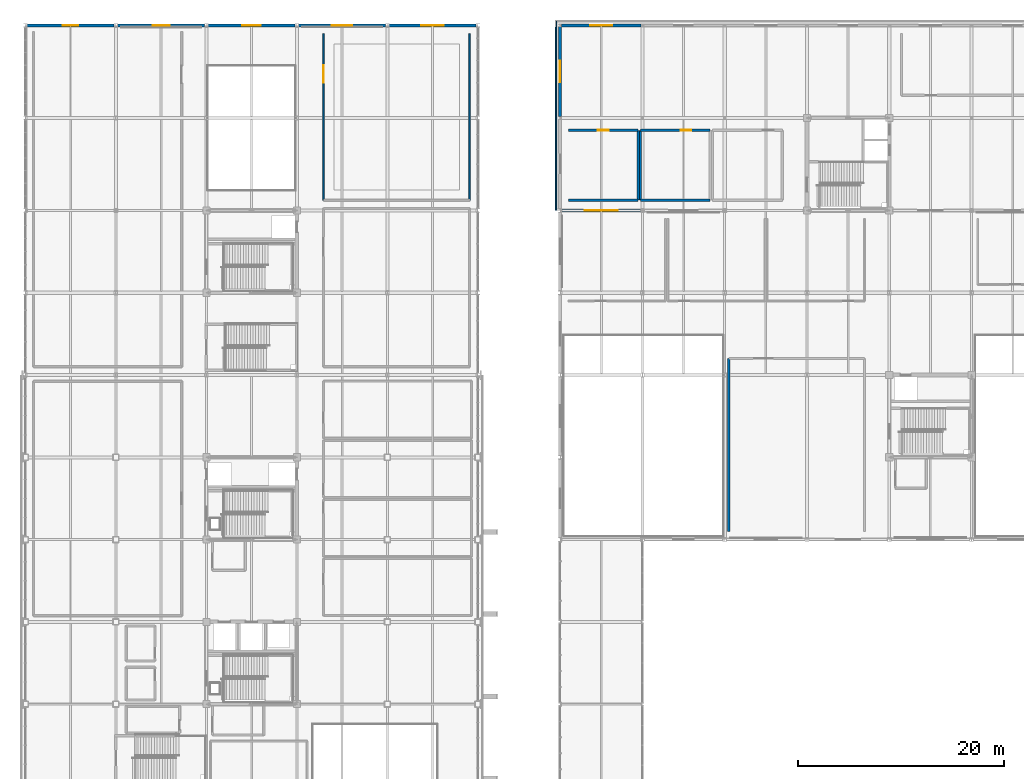
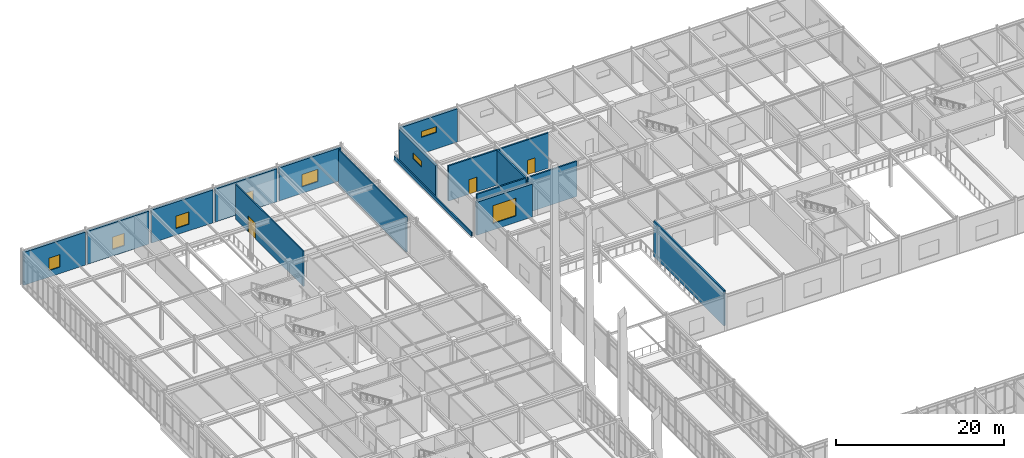
# One storey, part 165 of 184: 18 walls, 8 windows, 3 doors, 11 openings.
"""IFC4 building model written with IfcOpenShell, lengths in metres."""

import ifcopenshell
import ifcopenshell.guid

model = None  # the IFC model being written
_history = None  # IfcOwnerHistory: only IFC2X3 demands one
_inside = {}  # id of a spatial element -> (the spatial element, [elements in it])
_under = {}  # id of a project, library or spatial element -> (it, [spatial elements below it])
_declared = {}  # id of a project -> (the project, [libraries it declares])
_typed = {}  # id of a type object -> (the type object, [elements of that type])
_made_of = {}  # id of a material, layer set ... -> (it, [elements and type objects made of it])


def new_model(schema):
    """Start an empty IFC model of exactly this schema.

    Asked for "IFC4X3", IfcOpenShell would pick the latest addendum, in which some entities
    have other attributes; the version numbers below select the first issue.
    IFC2X3 requires an IfcOwnerHistory on every rooted entity: one is made here for all.
    """
    global model, _history
    if schema == "IFC4X3":
        model = ifcopenshell.file(schema_version=(4, 3, 0, 0))
    else:
        model = ifcopenshell.file(schema=schema)
    _inside.clear()
    _under.clear()
    _declared.clear()
    _typed.clear()
    _made_of.clear()
    _history = None
    if model.schema == "IFC2X3":
        org = make("IfcOrganization", Name="unknown")
        user = make(
            "IfcPersonAndOrganization",
            ThePerson=make("IfcPerson", FamilyName="unknown"),
            TheOrganization=org,
        )
        app = make(
            "IfcApplication",
            ApplicationDeveloper=org,
            Version="unknown",
            ApplicationFullName="unknown",
            ApplicationIdentifier="unknown",
        )
        _history = make(
            "IfcOwnerHistory",
            OwningUser=user,
            OwningApplication=app,
            ChangeAction="ADDED",
            CreationDate=0,
        )
    return model


def make(cls, **values):
    """One entity of the class cls with the attributes given. An attribute that is None is left unset."""
    return model.create_entity(
        cls, **{name: value for name, value in values.items() if value is not None}
    )


def rooted(cls, **values):
    """An entity with a GlobalId (a new one), such as an element, a storey or a relation."""
    return make(cls, GlobalId=ifcopenshell.guid.new(), OwnerHistory=_history, **values)


def si_unit(unit_type, name, prefix=None):
    """IfcSIUnit, for example si_unit("LENGTHUNIT", "METRE", prefix="MILLI")."""
    return make("IfcSIUnit", UnitType=unit_type, Prefix=prefix, Name=name)


def assignment(units):
    """IfcUnitAssignment: the units of a project."""
    return None if units is None else make("IfcUnitAssignment", Units=units)


def point(xyz):
    """IfcCartesianPoint."""
    return None if xyz is None else make("IfcCartesianPoint", Coordinates=xyz)


def direction(xyz):
    """IfcDirection."""
    return None if xyz is None else make("IfcDirection", DirectionRatios=xyz)


def frame(location, z_axis=None, x_axis=None):
    """IfcAxis2Placement3D, a coordinate frame: its origin and axes. An axis left out is left unset."""
    return make(
        "IfcAxis2Placement3D",
        Location=point(location),
        Axis=direction(z_axis),
        RefDirection=direction(x_axis),
    )


def frame_2d(location, x_axis=None):
    """IfcAxis2Placement2D, a coordinate frame in the plane: its origin and x axis."""
    return make(
        "IfcAxis2Placement2D", Location=point(location), RefDirection=direction(x_axis)
    )


def origin():
    """The frame at (0, 0, 0) with its axes left unset."""
    return frame((0.0, 0.0, 0.0))


def place(relative_to, where):
    """IfcLocalPlacement: puts the frame where relative to a parent placement (None: the world)."""
    return make(
        "IfcLocalPlacement", PlacementRelTo=relative_to, RelativePlacement=where
    )


def context(
    kind, dimensions, precision=None, world=None, true_north=None, identifier=None
):
    """IfcGeometricRepresentationContext, for example the 3D "Model" context."""
    return make(
        "IfcGeometricRepresentationContext",
        ContextIdentifier=identifier,
        ContextType=kind,
        CoordinateSpaceDimension=dimensions,
        Precision=precision,
        WorldCoordinateSystem=world,
        TrueNorth=true_north,
    )


def subcontext(parent, identifier, kind, view, scale=None):
    """IfcGeometricRepresentationSubContext, for example "Body" below "Model"."""
    return make(
        "IfcGeometricRepresentationSubContext",
        ContextIdentifier=identifier,
        ContextType=kind,
        ParentContext=parent,
        TargetScale=scale,
        TargetView=view,
    )


def project(units=None, contexts=None):
    """IfcProject with its units and contexts."""
    return rooted(
        "IfcProject",
        Name="project",
        RepresentationContexts=contexts,
        UnitsInContext=assignment(units),
    )


def spatial(cls, under=None, at=None, **own):
    """A site, building, storey or space (cls), placed at a placement, below another one or the project."""
    s = rooted(cls, ObjectPlacement=at, **own)
    if under is not None:
        _under.setdefault(under.id(), (under, []))[1].append(s)
    return s


def profile(cls, at=None, kind="AREA", **sizes):
    """A parametric profile (cls). Its sizes go by their IFC names, for example OverallWidth=200.0."""
    return make(cls, ProfileType=kind, Position=at, **sizes)


def rectangle(**sizes):
    """IfcRectangleProfileDef."""
    return profile("IfcRectangleProfileDef", **sizes)


def extrude(swept, where, along, depth):
    """IfcExtrudedAreaSolid: the profile swept, set in the frame where, extruded along a direction by depth."""
    return make(
        "IfcExtrudedAreaSolid",
        SweptArea=swept,
        Position=where,
        ExtrudedDirection=direction(along),
        Depth=depth,
    )


def shape(context_of_items, identifier, shape_type, items):
    """IfcShapeRepresentation: the items that make up one representation, for example the "Body"."""
    return make(
        "IfcShapeRepresentation",
        ContextOfItems=context_of_items,
        RepresentationIdentifier=identifier,
        RepresentationType=shape_type,
        Items=items,
    )


def material(Name=None, Category=None):
    """IfcMaterial."""
    return make("IfcMaterial", Name=Name, Category=Category)


def layer(
    of_material, thickness, ventilated=None, Name=None, Category=None, Priority=None
):
    """IfcMaterialLayer: one layer of a wall or slab, of a material (None: an air gap)."""
    return make(
        "IfcMaterialLayer",
        Material=of_material,
        LayerThickness=thickness,
        IsVentilated=ventilated,
        Name=Name,
        Category=Category,
        Priority=Priority,
    )


def layer_set(layers, Name=None):
    """IfcMaterialLayerSet."""
    return make("IfcMaterialLayerSet", MaterialLayers=layers, LayerSetName=Name)


def made_of(thing, what):
    """Note that an element or type object is made of a material, layer set ...; save() writes the relation."""
    if what is not None:
        _made_of.setdefault(what.id(), (what, []))[1].append(thing)
    return thing


def type_object(cls, material=None, **own):
    """A type object (cls), such as IfcWallType, which elements share."""
    return made_of(rooted(cls, **own), material)


def element(
    cls,
    number,
    at=None,
    inside=None,
    cuts=None,
    type_object=None,
    material=None,
    context=None,
    identifier="Body",
    shape_type=None,
    held_by="IfcProductDefinitionShape",
    body=None,
    shapes=None,
    **own,
):
    """One element of the class cls, such as IfcWall. Its Tag is "e" and its number.

    at: its placement. inside: the storey or other place that contains it. cuts: it is an
    opening in that element (IfcRelVoidsElement). A single representation is given by context,
    identifier, shape_type and body (its items); several are given by shapes. held_by: the class
    of the entity that holds the representations. save() writes the other relations.
    """
    e = rooted(cls, Tag="e%d" % number, ObjectPlacement=at, **own)
    if body is not None:
        shapes = [shape(context, identifier, shape_type, body)]
    if shapes is not None:
        e.Representation = make(held_by, Representations=shapes)
    if inside is not None:
        _inside.setdefault(inside.id(), (inside, []))[1].append(e)
    if cuts is not None:
        rooted(
            "IfcRelVoidsElement", RelatingBuildingElement=cuts, RelatedOpeningElement=e
        )
    if type_object is not None:
        _typed.setdefault(type_object.id(), (type_object, []))[1].append(e)
    return made_of(e, material)


def fill(opening, filler):
    """IfcRelFillsElement: the door or window that sits in an opening."""
    return rooted(
        "IfcRelFillsElement",
        RelatingOpeningElement=opening,
        RelatedBuildingElement=filler,
    )


def aggregate(whole, parts):
    """IfcRelAggregates: a whole, such as a stair, and the parts it consists of."""
    return rooted("IfcRelAggregates", RelatingObject=whole, RelatedObjects=parts)


def save(model, path):
    """Write the relations noted so far, then the file.

    IfcRelAggregates (storeys below a building ...), IfcRelContainedInSpatialStructure (elements
    in a storey), IfcRelDefinesByType, IfcRelAssociatesMaterial and IfcRelDeclares: one each for
    every whole, place, type object, material and project.
    """
    for whole, parts in _under.values():
        aggregate(whole, parts)
    for where, things in _inside.values():
        rooted(
            "IfcRelContainedInSpatialStructure",
            RelatedElements=things,
            RelatingStructure=where,
        )
    for kind, things in _typed.values():
        rooted("IfcRelDefinesByType", RelatedObjects=things, RelatingType=kind)
    for what, things in _made_of.values():
        rooted("IfcRelAssociatesMaterial", RelatedObjects=things, RelatingMaterial=what)
    for by, libraries in _declared.values():
        rooted("IfcRelDeclares", RelatingContext=by, RelatedDefinitions=libraries)
    model.write(path)


model = new_model("IFC4")

# Units and contexts
model_context = context("Model", 3, precision=1e-05, world=origin(), true_north=direction((0.0, 1.0)))
body_context = subcontext(model_context, "Body", "Model", "MODEL_VIEW")
ifc_project = project(units=[si_unit("LENGTHUNIT", "METRE"), si_unit("AREAUNIT", "SQUARE_METRE"), si_unit("VOLUMEUNIT", "CUBIC_METRE"), si_unit("PLANEANGLEUNIT", "RADIAN"), si_unit("MASSUNIT", "GRAM", prefix="KILO")], contexts=[model_context])

# Site, building, storey
site_placement = place(None, origin())
site = spatial("IfcSite", under=ifc_project, at=site_placement, CompositionType="ELEMENT")
building_placement = place(site_placement, origin())
building = spatial("IfcBuilding", under=site, at=building_placement, Name="Zhaolan Boulevard Law Courts", CompositionType="ELEMENT")
storey_placement = place(building_placement, frame((0.0, 0.0, 5.39990234375)))
storey = spatial("IfcBuildingStorey", under=building, at=storey_placement, Name="L01", CompositionType="ELEMENT", Elevation=5.39990234375)

# Wall
ifc_material_1 = material(Name="Concrete C40", Category="concrete")
ifc_layer_1 = layer(ifc_material_1, 0.159912109375)
ifc_layer_set_1 = layer_set([ifc_layer_1])
wall_type_1 = type_object("IfcWallType", Name="EXT WALL ARCH CLAD160", PredefinedType="SOLIDWALL", material=ifc_layer_set_1)
wall_1_placement = place(storey_placement, frame((51.580078125, 112.419921875, 0.0), z_axis=(0.0, 0.0, 1.0), x_axis=(0.0, -1.0, 0.0)))
element("IfcWall", 1, at=wall_1_placement, inside=storey, type_object=wall_type_1, Name="Custody Concrete Spandrel Band CBW-255", PredefinedType="SOLIDWALL", context=body_context, shape_type="SweptSolid", body=[
    extrude(rectangle(XDim=18.419921875, YDim=0.159912109375, at=frame_2d((9.2099609375, 0.0))), origin(), (0.0, 0.0, 1.0), 0.550048828125),
])

# Wall, opening, window
ifc_material_2 = material(Name="Concrete C40", Category="concrete")
ifc_layer_2 = layer(ifc_material_2, 0.300048828125)
ifc_layer_set_2 = layer_set([ifc_layer_2])
wall_type_2 = type_object("IfcWallType", Name="EXT WALL CONCRETE300", PredefinedType="SOLIDWALL", material=ifc_layer_set_2)
wall_2_placement = place(storey_placement, frame((59.8291015625, 94.0, 0.0), z_axis=(0.0, 0.0, 1.0), x_axis=(-1.0, 0.0, 0.0)))
wall_2 = element("IfcWall", 2, at=wall_2_placement, inside=storey, type_object=wall_type_2, Name="Exterior Wall EW-L01-217", PredefinedType="SOLIDWALL", context=body_context, shape_type="SweptSolid", body=[
    extrude(rectangle(XDim=7.658203125, YDim=0.300048828125, at=frame_2d((3.8291015625, 0.0))), origin(), (0.0, 0.0, 1.0), 4.802978515625),
])
opening_1_placement = place(wall_2_placement, frame((2.22900390625, 0.0, 0.949951171875)))
opening_1 = element("IfcOpeningElement", 3, at=opening_1_placement, cuts=wall_2, Name="Opening WIN-L01-074", PredefinedType="OPENING", context=body_context, shape_type="SweptSolid", body=[
    extrude(rectangle(XDim=3.199951171875, YDim=2.60009765625, at=frame_2d((1.60009765625, 1.300048828125))), frame((0.0, 0.159912109375, 0.0), z_axis=(0.0, -1.0, 0.0), x_axis=(1.0, 0.0, 0.0)), (0.0, 0.0, 1.0), 0.320068359375),
])
ifc_material_3 = material(Name="Thermally broken aluminium and low-E glazing", Category="aluminium")
window_type_1 = type_object("IfcWindowType", Name="WINDOW 3200X2600", PartitioningType="DOUBLE_PANEL_VERTICAL", PredefinedType="WINDOW", material=ifc_material_3)
window_1_placement = place(opening_1_placement, origin())
window_1 = element("IfcWindow", 4, at=window_1_placement, inside=storey, type_object=window_type_1, Name="Exterior Window WIN-L01-074", OverallHeight=2.60009765625, OverallWidth=3.199951171875, PartitioningType="SINGLE_PANEL", PredefinedType="WINDOW", context=body_context, shape_type="SweptSolid", body=[
    extrude(rectangle(XDim=3.199951171875, YDim=2.60009765625, at=frame_2d((1.60009765625, 1.300048828125))), frame((0.0, 0.030029296875, 0.0), z_axis=(0.0, -1.0, 0.0), x_axis=(1.0, 0.0, 0.0)), (0.0, 0.0, 1.0), 0.06005859375),
])
fill(opening_1, window_1)

wall_3_placement = place(storey_placement, frame((59.87890625, 112.0, 0.0), z_axis=(0.0, 0.0, 1.0), x_axis=(-1.0, 0.0, 0.0)))
wall_3 = element("IfcWall", 5, at=wall_3_placement, inside=storey, type_object=wall_type_2, Name="Exterior Wall EW-L01-317", PredefinedType="SOLIDWALL", context=body_context, shape_type="SweptSolid", body=[
    extrude(rectangle(XDim=7.7578125, YDim=0.300048828125, at=frame_2d((3.87890625, 0.0))), origin(), (0.0, 0.0, 1.0), 4.822998046875),
])
opening_2_placement = place(wall_3_placement, frame((2.8291015625, 0.0, 2.39990234375)))
opening_2 = element("IfcOpeningElement", 6, at=opening_2_placement, cuts=wall_3, Name="Opening WIN-L01-172", PredefinedType="OPENING", context=body_context, shape_type="SweptSolid", body=[
    extrude(rectangle(XDim=2.10009765625, YDim=0.85009765625, at=frame_2d((1.050048828125, 0.425048828125))), frame((0.0, 0.159912109375, 0.0), z_axis=(0.0, -1.0, 0.0), x_axis=(1.0, 0.0, 0.0)), (0.0, 0.0, 1.0), 0.320068359375),
])
ifc_material_4 = material(Name="Thermally broken aluminium and low-E glazing", Category="aluminium")
window_type_2 = type_object("IfcWindowType", Name="WINDOW 2100X850", PartitioningType="DOUBLE_PANEL_VERTICAL", PredefinedType="WINDOW", material=ifc_material_4)
window_2_placement = place(opening_2_placement, origin())
window_2 = element("IfcWindow", 7, at=window_2_placement, inside=storey, type_object=window_type_2, Name="Exterior Window WIN-L01-172", OverallHeight=0.85009765625, OverallWidth=2.10009765625, PartitioningType="SINGLE_PANEL", PredefinedType="WINDOW", context=body_context, shape_type="SweptSolid", body=[
    extrude(rectangle(XDim=2.10009765625, YDim=0.85009765625, at=frame_2d((1.050048828125, 0.425048828125))), frame((0.0, 0.030029296875, 0.0), z_axis=(0.0, -1.0, 0.0), x_axis=(1.0, 0.0, 0.0)), (0.0, 0.0, 1.0), 0.06005859375),
])
fill(opening_2, window_2)

wall_4_placement = place(storey_placement, frame((52.0, 111.87890625, 0.0), z_axis=(0.0, 0.0, 1.0), x_axis=(0.0, -1.0, 0.0)))
wall_4 = element("IfcWall", 8, at=wall_4_placement, inside=storey, type_object=wall_type_2, Name="Exterior Wall EW-L01-325", PredefinedType="SOLIDWALL", context=body_context, shape_type="SweptSolid", body=[
    extrude(rectangle(XDim=8.7578125, YDim=0.300048828125, at=frame_2d((4.37890625, 0.0))), origin(), (0.0, 0.0, 1.0), 4.64111328125),
])
opening_3_placement = place(wall_4_placement, frame((3.3291015625, 0.0, 2.39990234375)))
opening_3 = element("IfcOpeningElement", 9, at=opening_3_placement, cuts=wall_4, Name="Opening WIN-L01-180", PredefinedType="OPENING", context=body_context, shape_type="SweptSolid", body=[
    extrude(rectangle(XDim=2.10009765625, YDim=0.85009765625, at=frame_2d((1.050048828125, 0.425048828125))), frame((0.0, 0.159912109375, 0.0), z_axis=(0.0, -1.0, 0.0), x_axis=(1.0, 0.0, 0.0)), (0.0, 0.0, 1.0), 0.320068359375),
])
window_3_placement = place(opening_3_placement, origin())
window_3 = element("IfcWindow", 10, at=window_3_placement, inside=storey, type_object=window_type_2, Name="Exterior Window WIN-L01-180", OverallHeight=0.85009765625, OverallWidth=2.10009765625, PartitioningType="SINGLE_PANEL", PredefinedType="WINDOW", context=body_context, shape_type="SweptSolid", body=[
    extrude(rectangle(XDim=2.10009765625, YDim=0.85009765625, at=frame_2d((1.050048828125, 0.425048828125))), frame((0.0, 0.030029296875, 0.0), z_axis=(0.0, -1.0, 0.0), x_axis=(1.0, 0.0, 0.0)), (0.0, 0.0, 1.0), 0.06005859375),
])
fill(opening_3, window_3)

wall_5_placement = place(storey_placement, frame((8.62890625, 112.0, 0.0), z_axis=(0.0, 0.0, 1.0), x_axis=(-1.0, 0.0, 0.0)))
wall_5 = element("IfcWall", 11, at=wall_5_placement, inside=storey, type_object=wall_type_2, Name="Exterior Wall EW-L01-345", PredefinedType="SOLIDWALL", context=body_context, shape_type="SweptSolid", body=[
    extrude(rectangle(XDim=8.4580078125, YDim=0.300048828125, at=frame_2d((4.22900390625, 0.0))), origin(), (0.0, 0.0, 1.0), 4.802978515625),
])
opening_4_placement = place(wall_5_placement, frame((3.47900390625, 0.0, 0.949951171875)))
opening_4 = element("IfcOpeningElement", 12, at=opening_4_placement, cuts=wall_5, Name="Opening WIN-L01-198", PredefinedType="OPENING", context=body_context, shape_type="SweptSolid", body=[
    extrude(rectangle(XDim=1.5, YDim=1.800048828125, at=frame_2d((0.75, 0.89990234375))), frame((0.0, 0.159912109375, 0.0), z_axis=(0.0, -1.0, 0.0), x_axis=(1.0, 0.0, 0.0)), (0.0, 0.0, 1.0), 0.320068359375),
])
ifc_material_5 = material(Name="Thermally broken aluminium and low-E glazing", Category="aluminium")
window_type_3 = type_object("IfcWindowType", Name="WINDOW 1500X1800", PartitioningType="SINGLE_PANEL", PredefinedType="WINDOW", material=ifc_material_5)
window_4_placement = place(opening_4_placement, origin())
window_4 = element("IfcWindow", 13, at=window_4_placement, inside=storey, type_object=window_type_3, Name="Exterior Window WIN-L01-198", OverallHeight=1.800048828125, OverallWidth=1.5, PartitioningType="SINGLE_PANEL", PredefinedType="WINDOW", context=body_context, shape_type="SweptSolid", body=[
    extrude(rectangle(XDim=1.5, YDim=1.800048828125, at=frame_2d((0.75, 0.89990234375))), frame((0.0, 0.030029296875, 0.0), z_axis=(0.0, -1.0, 0.0), x_axis=(1.0, 0.0, 0.0)), (0.0, 0.0, 1.0), 0.06005859375),
])
fill(opening_4, window_4)

wall_6_placement = place(storey_placement, frame((17.428955078125, 112.0, 0.0), z_axis=(0.0, 0.0, 1.0), x_axis=(-1.0, 0.0, 0.0)))
wall_6 = element("IfcWall", 14, at=wall_6_placement, inside=storey, type_object=wall_type_2, Name="Exterior Wall EW-L01-346", PredefinedType="SOLIDWALL", context=body_context, shape_type="SweptSolid", body=[
    extrude(rectangle(XDim=8.4580078125, YDim=0.300048828125, at=frame_2d((4.22900390625, 0.0))), origin(), (0.0, 0.0, 1.0), 4.802978515625),
])
opening_5_placement = place(wall_6_placement, frame((3.404052734375, 0.0, 0.949951171875)))
opening_5 = element("IfcOpeningElement", 15, at=opening_5_placement, cuts=wall_6, Name="Opening WIN-L01-199", PredefinedType="OPENING", context=body_context, shape_type="SweptSolid", body=[
    extrude(rectangle(XDim=1.64990234375, YDim=1.800048828125, at=frame_2d((0.824951171875, 0.89990234375))), frame((0.0, 0.159912109375, 0.0), z_axis=(0.0, -1.0, 0.0), x_axis=(1.0, 0.0, 0.0)), (0.0, 0.0, 1.0), 0.320068359375),
])
ifc_material_6 = material(Name="Thermally broken aluminium and low-E glazing", Category="aluminium")
window_type_4 = type_object("IfcWindowType", Name="WINDOW 1650X1800", PartitioningType="SINGLE_PANEL", PredefinedType="WINDOW", material=ifc_material_6)
window_5_placement = place(opening_5_placement, origin())
window_5 = element("IfcWindow", 16, at=window_5_placement, inside=storey, type_object=window_type_4, Name="Exterior Window WIN-L01-199", OverallHeight=1.800048828125, OverallWidth=1.64990234375, PartitioningType="SINGLE_PANEL", PredefinedType="WINDOW", context=body_context, shape_type="SweptSolid", body=[
    extrude(rectangle(XDim=1.64990234375, YDim=1.800048828125, at=frame_2d((0.824951171875, 0.89990234375))), frame((0.0, 0.030029296875, 0.0), z_axis=(0.0, -1.0, 0.0), x_axis=(1.0, 0.0, 0.0)), (0.0, 0.0, 1.0), 0.06005859375),
])
fill(opening_5, window_5)

wall_7_placement = place(storey_placement, frame((26.22900390625, 112.0, 0.0), z_axis=(0.0, 0.0, 1.0), x_axis=(-1.0, 0.0, 0.0)))
wall_7 = element("IfcWall", 17, at=wall_7_placement, inside=storey, type_object=wall_type_2, Name="Exterior Wall EW-L01-347", PredefinedType="SOLIDWALL", context=body_context, shape_type="SweptSolid", body=[
    extrude(rectangle(XDim=8.4580078125, YDim=0.300048828125, at=frame_2d((4.22900390625, 0.0))), origin(), (0.0, 0.0, 1.0), 4.802978515625),
])
opening_6_placement = place(wall_7_placement, frame((3.3291015625, 0.0, 0.949951171875)))
opening_6 = element("IfcOpeningElement", 18, at=opening_6_placement, cuts=wall_7, Name="Opening WIN-L01-200", PredefinedType="OPENING", context=body_context, shape_type="SweptSolid", body=[
    extrude(rectangle(XDim=1.800048828125, YDim=1.800048828125, at=frame_2d((0.89990234375, 0.89990234375))), frame((0.0, 0.159912109375, 0.0), z_axis=(0.0, -1.0, 0.0), x_axis=(1.0, 0.0, 0.0)), (0.0, 0.0, 1.0), 0.320068359375),
])
ifc_material_7 = material(Name="Thermally broken aluminium and low-E glazing", Category="aluminium")
window_type_5 = type_object("IfcWindowType", Name="WINDOW 1800X1800", PartitioningType="DOUBLE_PANEL_VERTICAL", PredefinedType="WINDOW", material=ifc_material_7)
window_6_placement = place(opening_6_placement, origin())
window_6 = element("IfcWindow", 19, at=window_6_placement, inside=storey, type_object=window_type_5, Name="Exterior Window WIN-L01-200", OverallHeight=1.800048828125, OverallWidth=1.800048828125, PartitioningType="SINGLE_PANEL", PredefinedType="WINDOW", context=body_context, shape_type="SweptSolid", body=[
    extrude(rectangle(XDim=1.800048828125, YDim=1.800048828125, at=frame_2d((0.89990234375, 0.89990234375))), frame((0.0, 0.030029296875, 0.0), z_axis=(0.0, -1.0, 0.0), x_axis=(1.0, 0.0, 0.0)), (0.0, 0.0, 1.0), 0.06005859375),
])
fill(opening_6, window_6)

wall_8_placement = place(storey_placement, frame((35.029052734375, 112.0, 0.0), z_axis=(0.0, 0.0, 1.0), x_axis=(-1.0, 0.0, 0.0)))
wall_8 = element("IfcWall", 20, at=wall_8_placement, inside=storey, type_object=wall_type_2, Name="Exterior Wall EW-L01-348", PredefinedType="SOLIDWALL", context=body_context, shape_type="SweptSolid", body=[
    extrude(rectangle(XDim=8.4580078125, YDim=0.300048828125, at=frame_2d((4.22900390625, 0.0))), origin(), (0.0, 0.0, 1.0), 4.802978515625),
])
opening_7_placement = place(wall_8_placement, frame((3.22900390625, 0.0, 0.949951171875)))
opening_7 = element("IfcOpeningElement", 21, at=opening_7_placement, cuts=wall_8, Name="Opening WIN-L01-201", PredefinedType="OPENING", context=body_context, shape_type="SweptSolid", body=[
    extrude(rectangle(XDim=2.0, YDim=1.800048828125, at=frame_2d((1.0, 0.89990234375))), frame((0.0, 0.159912109375, 0.0), z_axis=(0.0, -1.0, 0.0), x_axis=(1.0, 0.0, 0.0)), (0.0, 0.0, 1.0), 0.320068359375),
])
ifc_material_8 = material(Name="Thermally broken aluminium and low-E glazing", Category="aluminium")
window_type_6 = type_object("IfcWindowType", Name="WINDOW 2000X1800", PartitioningType="DOUBLE_PANEL_VERTICAL", PredefinedType="WINDOW", material=ifc_material_8)
window_7_placement = place(opening_7_placement, origin())
window_7 = element("IfcWindow", 22, at=window_7_placement, inside=storey, type_object=window_type_6, Name="Exterior Window WIN-L01-201", OverallHeight=1.800048828125, OverallWidth=2.0, PartitioningType="SINGLE_PANEL", PredefinedType="WINDOW", context=body_context, shape_type="SweptSolid", body=[
    extrude(rectangle(XDim=2.0, YDim=1.800048828125, at=frame_2d((1.0, 0.89990234375))), frame((0.0, 0.030029296875, 0.0), z_axis=(0.0, -1.0, 0.0), x_axis=(1.0, 0.0, 0.0)), (0.0, 0.0, 1.0), 0.06005859375),
])
fill(opening_7, window_7)

wall_9_placement = place(storey_placement, frame((43.8291015625, 112.0, 0.0), z_axis=(0.0, 0.0, 1.0), x_axis=(-1.0, 0.0, 0.0)))
wall_9 = element("IfcWall", 23, at=wall_9_placement, inside=storey, type_object=wall_type_2, Name="Exterior Wall EW-L01-349", PredefinedType="SOLIDWALL", context=body_context, shape_type="SweptSolid", body=[
    extrude(rectangle(XDim=8.4580078125, YDim=0.300048828125, at=frame_2d((4.22900390625, 0.0))), origin(), (0.0, 0.0, 1.0), 4.802978515625),
])
opening_8_placement = place(wall_9_placement, frame((3.12890625, 0.0, 0.949951171875)))
opening_8 = element("IfcOpeningElement", 24, at=opening_8_placement, cuts=wall_9, Name="Opening WIN-L01-202", PredefinedType="OPENING", context=body_context, shape_type="SweptSolid", body=[
    extrude(rectangle(XDim=2.199951171875, YDim=1.800048828125, at=frame_2d((1.10009765625, 0.89990234375))), frame((0.0, 0.159912109375, 0.0), z_axis=(0.0, -1.0, 0.0), x_axis=(1.0, 0.0, 0.0)), (0.0, 0.0, 1.0), 0.320068359375),
])
ifc_material_9 = material(Name="Thermally broken aluminium and low-E glazing", Category="aluminium")
window_type_7 = type_object("IfcWindowType", Name="WINDOW 2200X1800", PartitioningType="DOUBLE_PANEL_VERTICAL", PredefinedType="WINDOW", material=ifc_material_9)
window_8_placement = place(opening_8_placement, origin())
window_8 = element("IfcWindow", 25, at=window_8_placement, inside=storey, type_object=window_type_7, Name="Exterior Window WIN-L01-202", OverallHeight=1.800048828125, OverallWidth=2.199951171875, PartitioningType="SINGLE_PANEL", PredefinedType="WINDOW", context=body_context, shape_type="SweptSolid", body=[
    extrude(rectangle(XDim=2.199951171875, YDim=1.800048828125, at=frame_2d((1.10009765625, 0.89990234375))), frame((0.0, 0.030029296875, 0.0), z_axis=(0.0, -1.0, 0.0), x_axis=(1.0, 0.0, 0.0)), (0.0, 0.0, 1.0), 0.06005859375),
])
fill(opening_8, window_8)

# Wall, opening, door
ifc_material_10 = material(Name="Fire-rated gypsum stud partition")
ifc_layer_3 = layer(ifc_material_10, 0.159912109375)
ifc_layer_set_3 = layer_set([ifc_layer_3])
wall_type_3 = type_object("IfcWallType", Name="PART WALL CHAMB160", PredefinedType="PARTITIONING", material=ifc_layer_set_3)
wall_10_placement = place(storey_placement, frame((29.0, 111.199951171875, 0.0), z_axis=(0.0, 0.0, 1.0), x_axis=(0.0, -1.0, 0.0)))
wall_10 = element("IfcWall", 26, at=wall_10_placement, inside=storey, type_object=wall_type_3, Name="Interior Partition PW-L01-397", PredefinedType="PARTITIONING", context=body_context, shape_type="SweptSolid", body=[
    extrude(rectangle(XDim=16.199951171875, YDim=0.159912109375, at=frame_2d((8.10009765625, 0.0))), origin(), (0.0, 0.0, 1.0), 5.1201171875),
])
opening_9_placement = place(wall_10_placement, frame((3.080078125, 0.0, 0.0)))
opening_9 = element("IfcOpeningElement", 27, at=opening_9_placement, cuts=wall_10, Name="Opening ID-L01-124", PredefinedType="OPENING", context=body_context, shape_type="SweptSolid", body=[
    extrude(rectangle(XDim=1.699951171875, YDim=2.300048828125, at=frame_2d((0.85009765625, 1.14990234375))), frame((0.0, 0.08984375, 0.0), z_axis=(0.0, -1.0, 0.0), x_axis=(1.0, 0.0, 0.0)), (0.0, 0.0, 1.0), 0.179931640625),
])
ifc_material_11 = material(Name="Solid-core acoustic oak veneer door")
door_type_1 = type_object("IfcDoorType", Name="LIB DOUBLE 1700X2300", OperationType="DOUBLE_DOOR_SINGLE_SWING", PredefinedType="DOOR", material=ifc_material_11)
door_1_placement = place(opening_9_placement, origin())
door_1 = element("IfcDoor", 28, at=door_1_placement, inside=storey, type_object=door_type_1, Name="Door ID-L01-124 (Statutory Case Law Stacks L01)", OperationType="DOUBLE_DOOR_SINGLE_SWING", OverallHeight=2.300048828125, OverallWidth=1.699951171875, PredefinedType="DOOR", context=body_context, shape_type="SweptSolid", body=[
    extrude(rectangle(XDim=1.699951171875, YDim=2.300048828125, at=frame_2d((0.85009765625, 1.14990234375))), frame((0.0, 0.02490234375, 0.0), z_axis=(0.0, -1.0, 0.0), x_axis=(1.0, 0.0, 0.0)), (0.0, 0.0, 1.0), 0.050048828125),
])
fill(opening_9, door_1)

# Walls
wall_11_placement = place(storey_placement, frame((43.199951171875, 95.0, 0.0), z_axis=(0.0, 0.0, 1.0), x_axis=(0.0, 1.0, 0.0)))
element("IfcWall", 29, at=wall_11_placement, inside=storey, type_object=wall_type_3, Name="Interior Partition PW-L01-398", PredefinedType="PARTITIONING", context=body_context, shape_type="SweptSolid", body=[
    extrude(rectangle(XDim=16.199951171875, YDim=0.159912109375, at=frame_2d((8.10009765625, 0.0))), origin(), (0.0, 0.0, 1.0), 5.1201171875),
])
ifc_material_12 = material(Name="Concrete C40", Category="concrete")
ifc_layer_4 = layer(ifc_material_12, 0.219970703125)
ifc_layer_set_4 = layer_set([ifc_layer_4])
wall_type_4 = type_object("IfcWallType", Name="PART WALL COURT220", PredefinedType="PARTITIONING", material=ifc_layer_set_4)
wall_12_placement = place(storey_placement, frame((68.39990234375, 79.60009765625, 0.0), z_axis=(0.0, 0.0, 1.0), x_axis=(0.0, -1.0, 0.0)))
element("IfcWall", 30, at=wall_12_placement, inside=storey, type_object=wall_type_4, Name="Interior Partition PW-L01-368", PredefinedType="PARTITIONING", context=body_context, shape_type="SweptSolid", body=[
    extrude(rectangle(XDim=16.800048828125, YDim=0.219970703125, at=frame_2d((8.39990234375, 0.0))), origin(), (0.0, 0.0, 1.0), 5.1201171875),
])
ifc_material_13 = material(Name="Concrete C40", Category="concrete")
ifc_layer_5 = layer(ifc_material_13, 0.2099609375)
ifc_layer_set_5 = layer_set([ifc_layer_5])
wall_type_5 = type_object("IfcWallType", Name="PART WALL CUSTODY210", PredefinedType="PARTITIONING", material=ifc_layer_set_5)
wall_13_placement = place(storey_placement, frame((52.800048828125, 95.0, 0.0), z_axis=(0.0, 0.0, 1.0), x_axis=(1.0, 0.0, 0.0)))
element("IfcWall", 31, at=wall_13_placement, inside=storey, type_object=wall_type_5, Name="Interior Partition PW-L01-423", PredefinedType="PARTITIONING", context=body_context, shape_type="SweptSolid", body=[
    extrude(rectangle(XDim=6.786865234375, YDim=0.2099609375, at=frame_2d((3.3935546875, 0.0))), origin(), (0.0, 0.0, 1.0), 5.1201171875),
])

# Wall, opening, door
wall_14_placement = place(storey_placement, frame((59.5869140625, 101.800048828125, 0.0), z_axis=(0.0, 0.0, 1.0), x_axis=(-1.0, 0.0, 0.0)))
wall_14 = element("IfcWall", 32, at=wall_14_placement, inside=storey, type_object=wall_type_5, Name="Interior Partition PW-L01-424", PredefinedType="PARTITIONING", context=body_context, shape_type="SweptSolid", body=[
    extrude(rectangle(XDim=6.786865234375, YDim=0.2099609375, at=frame_2d((3.3935546875, 0.0))), origin(), (0.0, 0.0, 1.0), 5.1201171875),
])
opening_10_placement = place(wall_14_placement, frame((2.843994140625, 0.0, 0.0)))
opening_10 = element("IfcOpeningElement", 33, at=opening_10_placement, cuts=wall_14, Name="Opening CD-L01-131", PredefinedType="OPENING", context=body_context, shape_type="SweptSolid", body=[
    extrude(rectangle(XDim=1.10009765625, YDim=2.14990234375, at=frame_2d((0.550048828125, 1.074951171875))), frame((0.0, 0.114990234375, 0.0), z_axis=(0.0, -1.0, 0.0), x_axis=(1.0, 0.0, 0.0)), (0.0, 0.0, 1.0), 0.22998046875),
])
ifc_material_14 = material(Name="Fire-rated steel acoustic door", Category="steel")
door_type_2 = type_object("IfcDoorType", Name="CUSTODY DOOR 1100X2150 L", OperationType="SINGLE_SWING_LEFT", PredefinedType="DOOR", material=ifc_material_14)
door_2_placement = place(opening_10_placement, origin())
door_2 = element("IfcDoor", 34, at=door_2_placement, inside=storey, type_object=door_type_2, Name="Door CD-L01-131 (Custody Suite Cell L01-01)", OperationType="SINGLE_SWING_LEFT", OverallHeight=2.14990234375, OverallWidth=1.10009765625, PredefinedType="DOOR", context=body_context, shape_type="SweptSolid", body=[
    extrude(rectangle(XDim=1.10009765625, YDim=2.14990234375, at=frame_2d((0.550048828125, 1.074951171875))), frame((0.0, 0.02490234375, 0.0), z_axis=(0.0, -1.0, 0.0), x_axis=(1.0, 0.0, 0.0)), (0.0, 0.0, 1.0), 0.050048828125),
])
fill(opening_10, door_2)

# Walls
wall_15_placement = place(storey_placement, frame((59.5869140625, 95.0, 0.0), z_axis=(0.0, 0.0, 1.0), x_axis=(0.0, 1.0, 0.0)))
element("IfcWall", 35, at=wall_15_placement, inside=storey, type_object=wall_type_5, Name="Interior Partition PW-L01-425", PredefinedType="PARTITIONING", context=body_context, shape_type="SweptSolid", body=[
    extrude(rectangle(XDim=6.800048828125, YDim=0.2099609375, at=frame_2d((3.39990234375, 0.0))), origin(), (0.0, 0.0, 1.0), 5.1201171875),
])
wall_16_placement = place(storey_placement, frame((59.806884765625, 95.0, 0.0), z_axis=(0.0, 0.0, 1.0), x_axis=(1.0, 0.0, 0.0)))
element("IfcWall", 36, at=wall_16_placement, inside=storey, type_object=wall_type_5, Name="Interior Partition PW-L01-426", PredefinedType="PARTITIONING", context=body_context, shape_type="SweptSolid", body=[
    extrude(rectangle(XDim=6.7861328125, YDim=0.2099609375, at=frame_2d((3.39306640625, 0.0))), origin(), (0.0, 0.0, 1.0), 5.1201171875),
])

# Wall, opening, door
wall_17_placement = place(storey_placement, frame((66.593017578125, 101.800048828125, 0.0), z_axis=(0.0, 0.0, 1.0), x_axis=(-1.0, 0.0, 0.0)))
wall_17 = element("IfcWall", 37, at=wall_17_placement, inside=storey, type_object=wall_type_5, Name="Interior Partition PW-L01-427", PredefinedType="PARTITIONING", context=body_context, shape_type="SweptSolid", body=[
    extrude(rectangle(XDim=6.7861328125, YDim=0.2099609375, at=frame_2d((3.39306640625, 0.0))), origin(), (0.0, 0.0, 1.0), 5.1201171875),
])
opening_11_placement = place(wall_17_placement, frame((1.841064453125, 0.0, 0.0)))
opening_11 = element("IfcOpeningElement", 38, at=opening_11_placement, cuts=wall_17, Name="Opening CD-L01-132", PredefinedType="OPENING", context=body_context, shape_type="SweptSolid", body=[
    extrude(rectangle(XDim=1.050048828125, YDim=2.14990234375, at=frame_2d((0.52490234375, 1.074951171875))), frame((0.0, 0.114990234375, 0.0), z_axis=(0.0, -1.0, 0.0), x_axis=(1.0, 0.0, 0.0)), (0.0, 0.0, 1.0), 0.22998046875),
])
ifc_material_15 = material(Name="Fire-rated steel acoustic door", Category="steel")
door_type_3 = type_object("IfcDoorType", Name="CUSTODY DOOR 1050X2150 R", OperationType="SINGLE_SWING_RIGHT", PredefinedType="DOOR", material=ifc_material_15)
door_3_placement = place(opening_11_placement, origin())
door_3 = element("IfcDoor", 39, at=door_3_placement, inside=storey, type_object=door_type_3, Name="Door CD-L01-132 (Custody Suite Cell L01-02)", OperationType="SINGLE_SWING_RIGHT", OverallHeight=2.14990234375, OverallWidth=1.050048828125, PredefinedType="DOOR", context=body_context, shape_type="SweptSolid", body=[
    extrude(rectangle(XDim=1.050048828125, YDim=2.14990234375, at=frame_2d((0.52490234375, 1.074951171875))), frame((0.0, 0.02490234375, 0.0), z_axis=(0.0, -1.0, 0.0), x_axis=(1.0, 0.0, 0.0)), (0.0, 0.0, 1.0), 0.050048828125),
])
fill(opening_11, door_3)

# Wall
wall_18_placement = place(storey_placement, frame((59.806884765625, 101.800048828125, 0.0), z_axis=(0.0, 0.0, 1.0), x_axis=(0.0, -1.0, 0.0)))
element("IfcWall", 40, at=wall_18_placement, inside=storey, type_object=wall_type_5, Name="Interior Partition PW-L01-428", PredefinedType="PARTITIONING", context=body_context, shape_type="SweptSolid", body=[
    extrude(rectangle(XDim=6.800048828125, YDim=0.2099609375, at=frame_2d((3.39990234375, 0.0))), origin(), (0.0, 0.0, 1.0), 4.64404296875),
])

save(model, "model.ifc")
